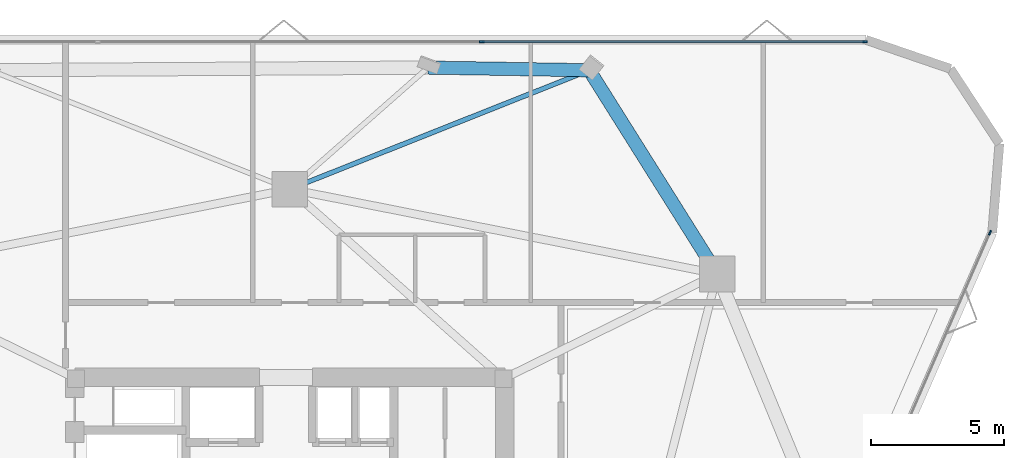
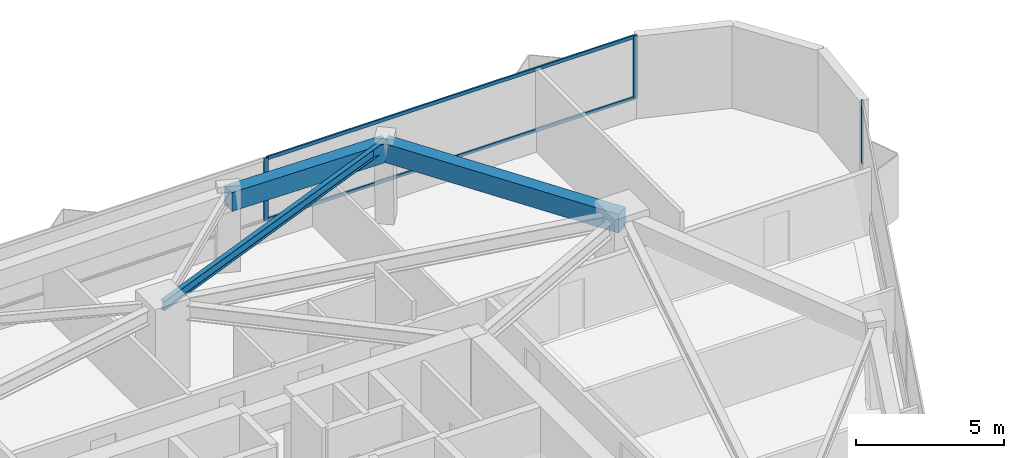
# One storey, part 8 of 12: 5 members, 3 beams, 2 elements without a shape of their own.
"""IFC4 building model written with IfcOpenShell, lengths in metres."""

import ifcopenshell
import ifcopenshell.guid

model = None  # the IFC model being written
_history = None  # IfcOwnerHistory: only IFC2X3 demands one
_inside = {}  # id of a spatial element -> (the spatial element, [elements in it])
_under = {}  # id of a project, library or spatial element -> (it, [spatial elements below it])
_declared = {}  # id of a project -> (the project, [libraries it declares])
_typed = {}  # id of a type object -> (the type object, [elements of that type])
_made_of = {}  # id of a material, layer set ... -> (it, [elements and type objects made of it])


def new_model(schema):
    """Start an empty IFC model of exactly this schema.

    Asked for "IFC4X3", IfcOpenShell would pick the latest addendum, in which some entities
    have other attributes; the version numbers below select the first issue.
    IFC2X3 requires an IfcOwnerHistory on every rooted entity: one is made here for all.
    """
    global model, _history
    if schema == "IFC4X3":
        model = ifcopenshell.file(schema_version=(4, 3, 0, 0))
    else:
        model = ifcopenshell.file(schema=schema)
    _inside.clear()
    _under.clear()
    _declared.clear()
    _typed.clear()
    _made_of.clear()
    _history = None
    if model.schema == "IFC2X3":
        org = make("IfcOrganization", Name="unknown")
        user = make(
            "IfcPersonAndOrganization",
            ThePerson=make("IfcPerson", FamilyName="unknown"),
            TheOrganization=org,
        )
        app = make(
            "IfcApplication",
            ApplicationDeveloper=org,
            Version="unknown",
            ApplicationFullName="unknown",
            ApplicationIdentifier="unknown",
        )
        _history = make(
            "IfcOwnerHistory",
            OwningUser=user,
            OwningApplication=app,
            ChangeAction="ADDED",
            CreationDate=0,
        )
    return model


def make(cls, **values):
    """One entity of the class cls with the attributes given. An attribute that is None is left unset."""
    return model.create_entity(
        cls, **{name: value for name, value in values.items() if value is not None}
    )


def rooted(cls, **values):
    """An entity with a GlobalId (a new one), such as an element, a storey or a relation."""
    return make(cls, GlobalId=ifcopenshell.guid.new(), OwnerHistory=_history, **values)


def si_unit(unit_type, name, prefix=None):
    """IfcSIUnit, for example si_unit("LENGTHUNIT", "METRE", prefix="MILLI")."""
    return make("IfcSIUnit", UnitType=unit_type, Prefix=prefix, Name=name)


def assignment(units):
    """IfcUnitAssignment: the units of a project."""
    return None if units is None else make("IfcUnitAssignment", Units=units)


def point(xyz):
    """IfcCartesianPoint."""
    return None if xyz is None else make("IfcCartesianPoint", Coordinates=xyz)


def direction(xyz):
    """IfcDirection."""
    return None if xyz is None else make("IfcDirection", DirectionRatios=xyz)


def frame(location, z_axis=None, x_axis=None):
    """IfcAxis2Placement3D, a coordinate frame: its origin and axes. An axis left out is left unset."""
    return make(
        "IfcAxis2Placement3D",
        Location=point(location),
        Axis=direction(z_axis),
        RefDirection=direction(x_axis),
    )


def frame_2d(location, x_axis=None):
    """IfcAxis2Placement2D, a coordinate frame in the plane: its origin and x axis."""
    return make(
        "IfcAxis2Placement2D", Location=point(location), RefDirection=direction(x_axis)
    )


def origin():
    """The frame at (0, 0, 0) with its axes left unset."""
    return frame((0.0, 0.0, 0.0))


def origin_2d():
    """The frame at (0, 0) in the plane with its x axis left unset."""
    return frame_2d((0.0, 0.0))


def place(relative_to, where):
    """IfcLocalPlacement: puts the frame where relative to a parent placement (None: the world)."""
    return make(
        "IfcLocalPlacement", PlacementRelTo=relative_to, RelativePlacement=where
    )


def context(
    kind, dimensions, precision=None, world=None, true_north=None, identifier=None
):
    """IfcGeometricRepresentationContext, for example the 3D "Model" context."""
    return make(
        "IfcGeometricRepresentationContext",
        ContextIdentifier=identifier,
        ContextType=kind,
        CoordinateSpaceDimension=dimensions,
        Precision=precision,
        WorldCoordinateSystem=world,
        TrueNorth=true_north,
    )


def subcontext(parent, identifier, kind, view, scale=None):
    """IfcGeometricRepresentationSubContext, for example "Body" below "Model"."""
    return make(
        "IfcGeometricRepresentationSubContext",
        ContextIdentifier=identifier,
        ContextType=kind,
        ParentContext=parent,
        TargetScale=scale,
        TargetView=view,
    )


def project(units=None, contexts=None):
    """IfcProject with its units and contexts."""
    return rooted(
        "IfcProject",
        Name="project",
        RepresentationContexts=contexts,
        UnitsInContext=assignment(units),
    )


def spatial(cls, under=None, at=None, **own):
    """A site, building, storey or space (cls), placed at a placement, below another one or the project."""
    s = rooted(cls, ObjectPlacement=at, **own)
    if under is not None:
        _under.setdefault(under.id(), (under, []))[1].append(s)
    return s


def profile(cls, at=None, kind="AREA", **sizes):
    """A parametric profile (cls). Its sizes go by their IFC names, for example OverallWidth=200.0."""
    return make(cls, ProfileType=kind, Position=at, **sizes)


def rectangle(**sizes):
    """IfcRectangleProfileDef."""
    return profile("IfcRectangleProfileDef", **sizes)


def i_section(**sizes):
    """IfcIShapeProfileDef."""
    return profile("IfcIShapeProfileDef", **sizes)


def extrude(swept, where, along, depth):
    """IfcExtrudedAreaSolid: the profile swept, set in the frame where, extruded along a direction by depth."""
    return make(
        "IfcExtrudedAreaSolid",
        SweptArea=swept,
        Position=where,
        ExtrudedDirection=direction(along),
        Depth=depth,
    )


def shape(context_of_items, identifier, shape_type, items):
    """IfcShapeRepresentation: the items that make up one representation, for example the "Body"."""
    return make(
        "IfcShapeRepresentation",
        ContextOfItems=context_of_items,
        RepresentationIdentifier=identifier,
        RepresentationType=shape_type,
        Items=items,
    )


def material(Name=None, Category=None):
    """IfcMaterial."""
    return make("IfcMaterial", Name=Name, Category=Category)


def layer(
    of_material, thickness, ventilated=None, Name=None, Category=None, Priority=None
):
    """IfcMaterialLayer: one layer of a wall or slab, of a material (None: an air gap)."""
    return make(
        "IfcMaterialLayer",
        Material=of_material,
        LayerThickness=thickness,
        IsVentilated=ventilated,
        Name=Name,
        Category=Category,
        Priority=Priority,
    )


def layer_set(layers, Name=None):
    """IfcMaterialLayerSet."""
    return make("IfcMaterialLayerSet", MaterialLayers=layers, LayerSetName=Name)


def material_profile(
    of_material, cross_section, Name=None, Category=None, Priority=None
):
    """IfcMaterialProfile: a cross section and its material."""
    return make(
        "IfcMaterialProfile",
        Name=Name,
        Material=of_material,
        Profile=cross_section,
        Priority=Priority,
        Category=Category,
    )


def profile_set(profiles, Name=None, composite=None):
    """IfcMaterialProfileSet."""
    return make(
        "IfcMaterialProfileSet",
        Name=Name,
        MaterialProfiles=profiles,
        CompositeProfile=composite,
    )


def made_of(thing, what):
    """Note that an element or type object is made of a material, layer set ...; save() writes the relation."""
    if what is not None:
        _made_of.setdefault(what.id(), (what, []))[1].append(thing)
    return thing


def type_object(cls, material=None, **own):
    """A type object (cls), such as IfcWallType, which elements share."""
    return made_of(rooted(cls, **own), material)


def element(
    cls,
    number,
    at=None,
    inside=None,
    cuts=None,
    type_object=None,
    material=None,
    context=None,
    identifier="Body",
    shape_type=None,
    held_by="IfcProductDefinitionShape",
    body=None,
    shapes=None,
    **own,
):
    """One element of the class cls, such as IfcWall. Its Tag is "e" and its number.

    at: its placement. inside: the storey or other place that contains it. cuts: it is an
    opening in that element (IfcRelVoidsElement). A single representation is given by context,
    identifier, shape_type and body (its items); several are given by shapes. held_by: the class
    of the entity that holds the representations. save() writes the other relations.
    """
    e = rooted(cls, Tag="e%d" % number, ObjectPlacement=at, **own)
    if body is not None:
        shapes = [shape(context, identifier, shape_type, body)]
    if shapes is not None:
        e.Representation = make(held_by, Representations=shapes)
    if inside is not None:
        _inside.setdefault(inside.id(), (inside, []))[1].append(e)
    if cuts is not None:
        rooted(
            "IfcRelVoidsElement", RelatingBuildingElement=cuts, RelatedOpeningElement=e
        )
    if type_object is not None:
        _typed.setdefault(type_object.id(), (type_object, []))[1].append(e)
    return made_of(e, material)


def aggregate(whole, parts):
    """IfcRelAggregates: a whole, such as a stair, and the parts it consists of."""
    return rooted("IfcRelAggregates", RelatingObject=whole, RelatedObjects=parts)


def save(model, path):
    """Write the relations noted so far, then the file.

    IfcRelAggregates (storeys below a building ...), IfcRelContainedInSpatialStructure (elements
    in a storey), IfcRelDefinesByType, IfcRelAssociatesMaterial and IfcRelDeclares: one each for
    every whole, place, type object, material and project.
    """
    for whole, parts in _under.values():
        aggregate(whole, parts)
    for where, things in _inside.values():
        rooted(
            "IfcRelContainedInSpatialStructure",
            RelatedElements=things,
            RelatingStructure=where,
        )
    for kind, things in _typed.values():
        rooted("IfcRelDefinesByType", RelatedObjects=things, RelatingType=kind)
    for what, things in _made_of.values():
        rooted("IfcRelAssociatesMaterial", RelatedObjects=things, RelatingMaterial=what)
    for by, libraries in _declared.values():
        rooted("IfcRelDeclares", RelatingContext=by, RelatedDefinitions=libraries)
    model.write(path)


model = new_model("IFC4")

# Units and contexts
model_context = context("Model", 3, precision=1e-05, world=origin(), true_north=direction((0.0, 1.0)))
body_context = subcontext(model_context, "Body", "Model", "MODEL_VIEW")
ifc_project = project(units=[si_unit("LENGTHUNIT", "METRE"), si_unit("AREAUNIT", "SQUARE_METRE"), si_unit("VOLUMEUNIT", "CUBIC_METRE"), si_unit("PLANEANGLEUNIT", "RADIAN"), si_unit("MASSUNIT", "GRAM", prefix="KILO")], contexts=[model_context])

# Site, building, storey
site_placement = place(None, origin())
site = spatial("IfcSite", under=ifc_project, at=site_placement, CompositionType="ELEMENT")
building_placement = place(site_placement, origin())
building = spatial("IfcBuilding", under=site, at=building_placement, Name="Talyreon Biosciences Tower", CompositionType="ELEMENT")
storey_placement = place(building_placement, frame((0.0, 0.0, 179.39990234375)))
storey = spatial("IfcBuildingStorey", under=building, at=storey_placement, Name="L47", CompositionType="ELEMENT", Elevation=179.39990234375)

# Curtain wall, members
ifc_material_1 = material(Name="Thermally broken aluminium and low-E glazing", Category="aluminium")
ifc_layer = layer(ifc_material_1, 0.179931640625)
ifc_layer_set = layer_set([ifc_layer], Name="Thermally broken aluminium and low-E glazing")
curtain_wall_type = type_object("IfcCurtainWallType", Name="CurtainWall_Zone4Optical", PredefinedType="NOTDEFINED", material=ifc_layer_set)
curtain_wall_1_placement = place(storey_placement, origin())
curtain_wall_1 = element("IfcCurtainWall", 1, at=curtain_wall_1_placement, inside=storey, type_object=curtain_wall_type, Name="L47 Unitised Curtain Wall FCW-L47-04", PredefinedType="NOTDEFINED")
ifc_material_2 = material(Name="Anodised thermally broken aluminium", Category="aluminium")
ifc_material_profile_1 = material_profile(ifc_material_2, rectangle(XDim=0.06494140625, YDim=0.179931640625, at=origin_2d()), Name="ALUM MULLION 65x180")
ifc_profile_set_1 = profile_set([ifc_material_profile_1], Name="Anodised thermally broken aluminium")
member_type_1 = type_object("IfcMemberType", Name="CWMullion_65x180", PredefinedType="MULLION", material=ifc_profile_set_1)
member_1_placement = place(storey_placement, frame((73.232177734375, 87.3388671875, 0.81005859375), z_axis=(0.0, 0.0, 1.0), x_axis=(0.0, 1.0, 0.0)))
member_1 = element("IfcMember", 2, at=member_1_placement, type_object=member_type_1, Name="CW5 mullion 3", PredefinedType="MULLION", context=body_context, shape_type="SweptSolid", body=[
    extrude(rectangle(XDim=0.06494140625, YDim=0.179931640625, at=origin_2d()), origin(), (0.0, 0.0, 1.0), 2.590087890625),
])
member_2_placement = place(storey_placement, frame((87.663818359375, 87.3388671875, 0.81005859375), z_axis=(0.0, 0.0, 1.0), x_axis=(0.0, 1.0, 0.0)))
member_2 = element("IfcMember", 3, at=member_2_placement, type_object=member_type_1, Name="CW5 mullion 4", PredefinedType="MULLION", context=body_context, shape_type="SweptSolid", body=[
    extrude(rectangle(XDim=0.06494140625, YDim=0.179931640625, at=origin_2d()), origin(), (0.0, 0.0, 1.0), 2.590087890625),
])

# Curtain wall, member
curtain_wall_2_placement = place(storey_placement, origin())
curtain_wall_2 = element("IfcCurtainWall", 4, at=curtain_wall_2_placement, inside=storey, type_object=curtain_wall_type, Name="L47 Unitised Curtain Wall FCW-L47-08", PredefinedType="NOTDEFINED")
member_3_placement = place(storey_placement, frame((92.377685546875, 80.145751953125, 0.81005859375), z_axis=(0.0, 0.0, 1.0), x_axis=(0.916912184291, -0.399089020519, 0.0)))
member_3 = element("IfcMember", 5, at=member_3_placement, type_object=member_type_1, Name="CW5 mullion 1", PredefinedType="MULLION", context=body_context, shape_type="SweptSolid", body=[
    extrude(rectangle(XDim=0.06494140625, YDim=0.179931640625, at=origin_2d()), origin(), (0.0, 0.0, 1.0), 2.590087890625),
])
aggregate(curtain_wall_2, [member_3])

# Member
ifc_material_profile_2 = material_profile(ifc_material_2, rectangle(XDim=0.06494140625, YDim=0.139892578125, at=origin_2d()), Name="ALUM TRANSOM 65x140")
ifc_profile_set_2 = profile_set([ifc_material_profile_2], Name="Anodised thermally broken aluminium")
member_type_2 = type_object("IfcMemberType", Name="CWTransom_65x140", PredefinedType="USERDEFINED", material=ifc_profile_set_2)
member_4_placement = place(storey_placement, frame((73.2646484375, 87.3388671875, 0.842529296875), z_axis=(1.0, 0.0, 0.0), x_axis=(0.0, 1.0, 0.0)))
member_4 = element("IfcMember", 6, at=member_4_placement, type_object=member_type_2, Name="CW5 transom 3.1", ObjectType="TRANSOM", PredefinedType="USERDEFINED", context=body_context, shape_type="SweptSolid", body=[
    extrude(rectangle(XDim=0.06494140625, YDim=0.139892578125, at=origin_2d()), origin(), (0.0, 0.0, 1.0), 14.366455078125),
])

member_5_placement = place(storey_placement, frame((73.2646484375, 87.3388671875, 3.36767578125), z_axis=(1.0, 0.0, 0.0), x_axis=(0.0, 1.0, 0.0)))
member_5 = element("IfcMember", 7, at=member_5_placement, type_object=member_type_2, Name="CW5 transom 3.2", ObjectType="TRANSOM", PredefinedType="USERDEFINED", context=body_context, shape_type="SweptSolid", body=[
    extrude(rectangle(XDim=0.06494140625, YDim=0.139892578125, at=origin_2d()), origin(), (0.0, 0.0, 1.0), 14.366455078125),
])

aggregate(curtain_wall_1, [member_1, member_2, member_4, member_5])

# Beams
ifc_material_3 = material(Name="Precast concrete C45/55", Category="concrete")
ifc_material_profile_3 = material_profile(ifc_material_3, rectangle(XDim=0.5, YDim=0.780029296875, at=origin_2d()), Name="RCB 500x780")
ifc_profile_set_3 = profile_set([ifc_material_profile_3], Name="Precast concrete C45/55")
beam_type_1 = type_object("IfcBeamType", Name="ExpressedSpandrel_500x780", PredefinedType="SPANDREL", material=ifc_profile_set_3)
beam_1_placement = place(storey_placement, frame((82.102294921875, 78.5986328125, 3.010009765625), z_axis=(-0.532097584887, 0.846683034056, 0.0), x_axis=(-0.846683034056, -0.532097584887, 0.0)))
element("IfcBeam", 8, at=beam_1_placement, inside=storey, type_object=beam_type_1, Name="L47 Expressed Horizontal Concrete Spandrel 05", PredefinedType="SPANDREL", context=body_context, shape_type="SweptSolid", body=[
    extrude(rectangle(XDim=0.5, YDim=0.780029296875, at=origin_2d()), origin(), (0.0, 0.0, 1.0), 9.05908203125),
])
beam_2_placement = place(storey_placement, frame((77.281982421875, 86.268798828125, 3.010009765625), z_axis=(-0.99986428001, 0.016474876615, 0.0), x_axis=(-0.016474876615, -0.99986428001, 0.0)))
element("IfcBeam", 9, at=beam_2_placement, inside=storey, type_object=beam_type_1, Name="L47 Expressed Horizontal Concrete Spandrel 06", PredefinedType="SPANDREL", context=body_context, shape_type="SweptSolid", body=[
    extrude(rectangle(XDim=0.5, YDim=0.780029296875, at=origin_2d()), origin(), (0.0, 0.0, 1.0), 6.07568359375),
])
ifc_material_4 = material(Name="Steel SM355", Category="steel")
ifc_material_profile_4 = material_profile(ifc_material_4, i_section(OverallWidth=0.179931640625, OverallDepth=0.39990234375, WebThickness=0.008544921875, FlangeThickness=0.013427734375, FilletRadius=0.02099609375, at=origin_2d()), Name="IPE400")
ifc_profile_set_4 = profile_set([ifc_material_profile_4], Name="Steel SM355")
beam_type_2 = type_object("IfcBeamType", Name="SteelJoist_IPE400", PredefinedType="JOIST", material=ifc_profile_set_4)
beam_3_placement = place(storey_placement, frame((66.0, 81.788818359375, 3.2001953125), z_axis=(0.929405864151, 0.369059263101, 0.0), x_axis=(-0.369059263101, 0.929405864151, 0.0)))
element("IfcBeam", 10, at=beam_3_placement, inside=storey, type_object=beam_type_2, Name="L47 Radial Composite Floor Joist PC-N1", PredefinedType="JOIST", context=body_context, shape_type="SweptSolid", body=[
    extrude(i_section(OverallWidth=0.179931640625, OverallDepth=0.39990234375, WebThickness=0.008544921875, FlangeThickness=0.013427734375, FilletRadius=0.02099609375, at=origin_2d()), origin(), (0.0, 0.0, 1.0), 12.138916015625),
])

save(model, "model.ifc")
